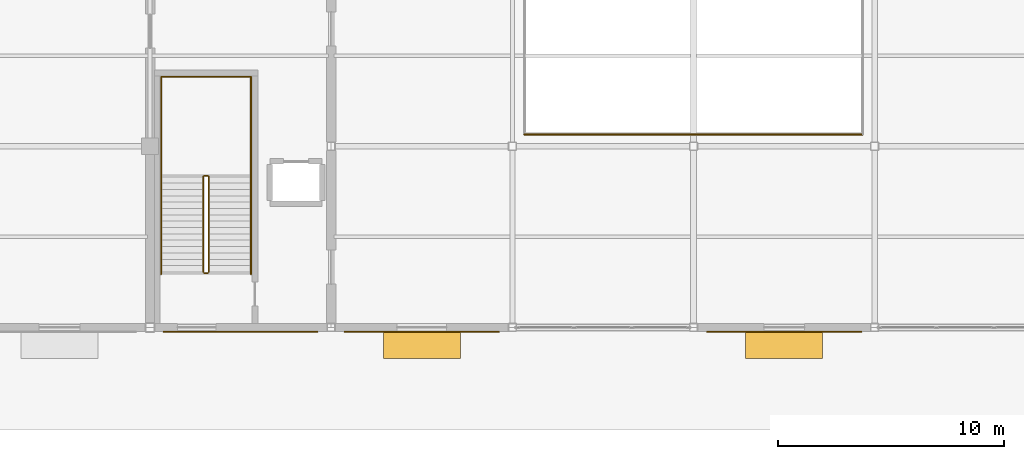
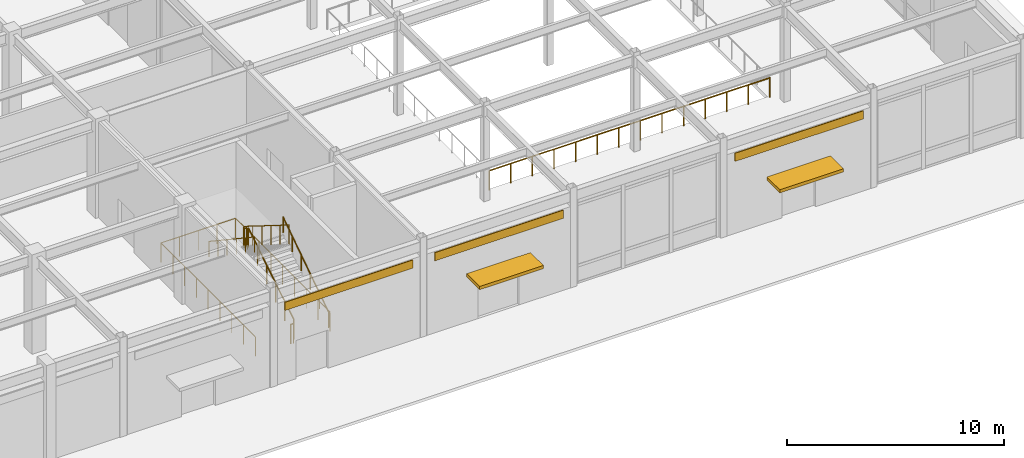
# One storey, part 124 of 128: 10 railings, 3 coverings, 2 shading devices.
"""IFC4 building model written with IfcOpenShell, lengths in metres."""

import ifcopenshell
import ifcopenshell.guid

model = None  # the IFC model being written
_history = None  # IfcOwnerHistory: only IFC2X3 demands one
_inside = {}  # id of a spatial element -> (the spatial element, [elements in it])
_under = {}  # id of a project, library or spatial element -> (it, [spatial elements below it])
_declared = {}  # id of a project -> (the project, [libraries it declares])
_typed = {}  # id of a type object -> (the type object, [elements of that type])
_made_of = {}  # id of a material, layer set ... -> (it, [elements and type objects made of it])


def new_model(schema):
    """Start an empty IFC model of exactly this schema.

    Asked for "IFC4X3", IfcOpenShell would pick the latest addendum, in which some entities
    have other attributes; the version numbers below select the first issue.
    IFC2X3 requires an IfcOwnerHistory on every rooted entity: one is made here for all.
    """
    global model, _history
    if schema == "IFC4X3":
        model = ifcopenshell.file(schema_version=(4, 3, 0, 0))
    else:
        model = ifcopenshell.file(schema=schema)
    _inside.clear()
    _under.clear()
    _declared.clear()
    _typed.clear()
    _made_of.clear()
    _history = None
    if model.schema == "IFC2X3":
        org = make("IfcOrganization", Name="unknown")
        user = make(
            "IfcPersonAndOrganization",
            ThePerson=make("IfcPerson", FamilyName="unknown"),
            TheOrganization=org,
        )
        app = make(
            "IfcApplication",
            ApplicationDeveloper=org,
            Version="unknown",
            ApplicationFullName="unknown",
            ApplicationIdentifier="unknown",
        )
        _history = make(
            "IfcOwnerHistory",
            OwningUser=user,
            OwningApplication=app,
            ChangeAction="ADDED",
            CreationDate=0,
        )
    return model


def make(cls, **values):
    """One entity of the class cls with the attributes given. An attribute that is None is left unset."""
    return model.create_entity(
        cls, **{name: value for name, value in values.items() if value is not None}
    )


def rooted(cls, **values):
    """An entity with a GlobalId (a new one), such as an element, a storey or a relation."""
    return make(cls, GlobalId=ifcopenshell.guid.new(), OwnerHistory=_history, **values)


def si_unit(unit_type, name, prefix=None):
    """IfcSIUnit, for example si_unit("LENGTHUNIT", "METRE", prefix="MILLI")."""
    return make("IfcSIUnit", UnitType=unit_type, Prefix=prefix, Name=name)


def assignment(units):
    """IfcUnitAssignment: the units of a project."""
    return None if units is None else make("IfcUnitAssignment", Units=units)


def point(xyz):
    """IfcCartesianPoint."""
    return None if xyz is None else make("IfcCartesianPoint", Coordinates=xyz)


def direction(xyz):
    """IfcDirection."""
    return None if xyz is None else make("IfcDirection", DirectionRatios=xyz)


def frame(location, z_axis=None, x_axis=None):
    """IfcAxis2Placement3D, a coordinate frame: its origin and axes. An axis left out is left unset."""
    return make(
        "IfcAxis2Placement3D",
        Location=point(location),
        Axis=direction(z_axis),
        RefDirection=direction(x_axis),
    )


def frame_2d(location, x_axis=None):
    """IfcAxis2Placement2D, a coordinate frame in the plane: its origin and x axis."""
    return make(
        "IfcAxis2Placement2D", Location=point(location), RefDirection=direction(x_axis)
    )


def origin():
    """The frame at (0, 0, 0) with its axes left unset."""
    return frame((0.0, 0.0, 0.0))


def origin_2d():
    """The frame at (0, 0) in the plane with its x axis left unset."""
    return frame_2d((0.0, 0.0))


def place(relative_to, where):
    """IfcLocalPlacement: puts the frame where relative to a parent placement (None: the world)."""
    return make(
        "IfcLocalPlacement", PlacementRelTo=relative_to, RelativePlacement=where
    )


def context(
    kind, dimensions, precision=None, world=None, true_north=None, identifier=None
):
    """IfcGeometricRepresentationContext, for example the 3D "Model" context."""
    return make(
        "IfcGeometricRepresentationContext",
        ContextIdentifier=identifier,
        ContextType=kind,
        CoordinateSpaceDimension=dimensions,
        Precision=precision,
        WorldCoordinateSystem=world,
        TrueNorth=true_north,
    )


def subcontext(parent, identifier, kind, view, scale=None):
    """IfcGeometricRepresentationSubContext, for example "Body" below "Model"."""
    return make(
        "IfcGeometricRepresentationSubContext",
        ContextIdentifier=identifier,
        ContextType=kind,
        ParentContext=parent,
        TargetScale=scale,
        TargetView=view,
    )


def project(units=None, contexts=None):
    """IfcProject with its units and contexts."""
    return rooted(
        "IfcProject",
        Name="project",
        RepresentationContexts=contexts,
        UnitsInContext=assignment(units),
    )


def spatial(cls, under=None, at=None, **own):
    """A site, building, storey or space (cls), placed at a placement, below another one or the project."""
    s = rooted(cls, ObjectPlacement=at, **own)
    if under is not None:
        _under.setdefault(under.id(), (under, []))[1].append(s)
    return s


def profile(cls, at=None, kind="AREA", **sizes):
    """A parametric profile (cls). Its sizes go by their IFC names, for example OverallWidth=200.0."""
    return make(cls, ProfileType=kind, Position=at, **sizes)


def rectangle(**sizes):
    """IfcRectangleProfileDef."""
    return profile("IfcRectangleProfileDef", **sizes)


def circle(**sizes):
    """IfcCircleProfileDef."""
    return profile("IfcCircleProfileDef", **sizes)


def extrude(swept, where, along, depth):
    """IfcExtrudedAreaSolid: the profile swept, set in the frame where, extruded along a direction by depth."""
    return make(
        "IfcExtrudedAreaSolid",
        SweptArea=swept,
        Position=where,
        ExtrudedDirection=direction(along),
        Depth=depth,
    )


def shape(context_of_items, identifier, shape_type, items):
    """IfcShapeRepresentation: the items that make up one representation, for example the "Body"."""
    return make(
        "IfcShapeRepresentation",
        ContextOfItems=context_of_items,
        RepresentationIdentifier=identifier,
        RepresentationType=shape_type,
        Items=items,
    )


def material(Name=None, Category=None):
    """IfcMaterial."""
    return make("IfcMaterial", Name=Name, Category=Category)


def layer(
    of_material, thickness, ventilated=None, Name=None, Category=None, Priority=None
):
    """IfcMaterialLayer: one layer of a wall or slab, of a material (None: an air gap)."""
    return make(
        "IfcMaterialLayer",
        Material=of_material,
        LayerThickness=thickness,
        IsVentilated=ventilated,
        Name=Name,
        Category=Category,
        Priority=Priority,
    )


def layer_set(layers, Name=None):
    """IfcMaterialLayerSet."""
    return make("IfcMaterialLayerSet", MaterialLayers=layers, LayerSetName=Name)


def made_of(thing, what):
    """Note that an element or type object is made of a material, layer set ...; save() writes the relation."""
    if what is not None:
        _made_of.setdefault(what.id(), (what, []))[1].append(thing)
    return thing


def type_object(cls, material=None, **own):
    """A type object (cls), such as IfcWallType, which elements share."""
    return made_of(rooted(cls, **own), material)


def element(
    cls,
    number,
    at=None,
    inside=None,
    cuts=None,
    type_object=None,
    material=None,
    context=None,
    identifier="Body",
    shape_type=None,
    held_by="IfcProductDefinitionShape",
    body=None,
    shapes=None,
    **own,
):
    """One element of the class cls, such as IfcWall. Its Tag is "e" and its number.

    at: its placement. inside: the storey or other place that contains it. cuts: it is an
    opening in that element (IfcRelVoidsElement). A single representation is given by context,
    identifier, shape_type and body (its items); several are given by shapes. held_by: the class
    of the entity that holds the representations. save() writes the other relations.
    """
    e = rooted(cls, Tag="e%d" % number, ObjectPlacement=at, **own)
    if body is not None:
        shapes = [shape(context, identifier, shape_type, body)]
    if shapes is not None:
        e.Representation = make(held_by, Representations=shapes)
    if inside is not None:
        _inside.setdefault(inside.id(), (inside, []))[1].append(e)
    if cuts is not None:
        rooted(
            "IfcRelVoidsElement", RelatingBuildingElement=cuts, RelatedOpeningElement=e
        )
    if type_object is not None:
        _typed.setdefault(type_object.id(), (type_object, []))[1].append(e)
    return made_of(e, material)


def aggregate(whole, parts):
    """IfcRelAggregates: a whole, such as a stair, and the parts it consists of."""
    return rooted("IfcRelAggregates", RelatingObject=whole, RelatedObjects=parts)


def save(model, path):
    """Write the relations noted so far, then the file.

    IfcRelAggregates (storeys below a building ...), IfcRelContainedInSpatialStructure (elements
    in a storey), IfcRelDefinesByType, IfcRelAssociatesMaterial and IfcRelDeclares: one each for
    every whole, place, type object, material and project.
    """
    for whole, parts in _under.values():
        aggregate(whole, parts)
    for where, things in _inside.values():
        rooted(
            "IfcRelContainedInSpatialStructure",
            RelatedElements=things,
            RelatingStructure=where,
        )
    for kind, things in _typed.values():
        rooted("IfcRelDefinesByType", RelatedObjects=things, RelatingType=kind)
    for what, things in _made_of.values():
        rooted("IfcRelAssociatesMaterial", RelatedObjects=things, RelatingMaterial=what)
    for by, libraries in _declared.values():
        rooted("IfcRelDeclares", RelatingContext=by, RelatedDefinitions=libraries)
    model.write(path)


model = new_model("IFC4")

# Units and contexts
model_context = context("Model", 3, precision=1e-05, world=origin(), true_north=direction((0.0, 1.0)))
body_context = subcontext(model_context, "Body", "Model", "MODEL_VIEW")
ifc_project = project(units=[si_unit("LENGTHUNIT", "METRE"), si_unit("AREAUNIT", "SQUARE_METRE"), si_unit("VOLUMEUNIT", "CUBIC_METRE"), si_unit("PLANEANGLEUNIT", "RADIAN"), si_unit("MASSUNIT", "GRAM", prefix="KILO")], contexts=[model_context])

# Site, building, storey
site_placement = place(None, origin())
site = spatial("IfcSite", under=ifc_project, at=site_placement, CompositionType="ELEMENT")
building_placement = place(site_placement, origin())
building = spatial("IfcBuilding", under=site, at=building_placement, Name="Solmirada Galleria", CompositionType="ELEMENT")
storey_placement = place(building_placement, origin())
storey = spatial("IfcBuildingStorey", under=building, at=storey_placement, Name="L00", CompositionType="ELEMENT", Elevation=0.0)

# Coverings
ifc_material_1 = material(Name="Limestone cladding panels", Category="masonry")
ifc_layer = layer(ifc_material_1, 0.044921875)
ifc_layer_set = layer_set([ifc_layer], Name="Limestone cladding panels")
covering_type = type_object("IfcCoveringType", Name="COV-CLAD-LIME", PredefinedType="CLADDING", material=ifc_layer_set)
for number, where, z_axis, x_axis, name in (
    (1, (164.0, -0.1923828125, 4.090087890625), (0.0, 0.0, 1.0), (-1.0, 0.0, 0.0), "Postmodern facade cladding L00-034"),
    (2, (148.0, -0.1923828125, 4.090087890625), (0.0, 0.0, 1.0), (-1.0, 0.0, 0.0), "Postmodern facade cladding L00-035"),
):
    element("IfcCovering", number, at=place(storey_placement, frame(where, z_axis=z_axis, x_axis=x_axis)), inside=storey, type_object=covering_type, Name=name, PredefinedType="CLADDING", context=body_context, shape_type="SweptSolid", body=[
        extrude(rectangle(XDim=6.843994140625, YDim=0.044921875, at=origin_2d()), origin(), (0.0, 0.0, 1.0), 0.4599609375),
    ])
covering_placement = place(storey_placement, frame((140.0, -0.1923828125, 4.090087890625), z_axis=(0.0, 0.0, 1.0), x_axis=(-1.0, 0.0, 0.0)))
element("IfcCovering", 3, at=covering_placement, inside=storey, type_object=covering_type, Name="Postmodern facade cladding L00-036", PredefinedType="CLADDING", context=body_context, shape_type="SweptSolid", body=[
    extrude(rectangle(XDim=6.819091796875, YDim=0.044921875, at=origin_2d()), origin(), (0.0, 0.0, 1.0), 0.4599609375),
])

# Railings
ifc_material_2 = material(Name="Painted steel tubular railing", Category="steel")
railing_type_1 = type_object("IfcRailingType", Name="RAIL-STAIR-GUARD", PredefinedType="GUARDRAIL", material=ifc_material_2)
railing_1_placement = place(storey_placement, frame((138.60009765625, 2.449951171875, 0.175048828125)))
element("IfcRailing", 4, at=railing_1_placement, inside=storey, type_object=railing_type_1, Name="L00 ST6 stair guard 1", PredefinedType="GUARDRAIL", context=body_context, shape_type="SweptSolid", body=[
    extrude(circle(Radius=0.02392578125, at=origin_2d()), frame((0.0, 0.0, 1.076171875), z_axis=(0.0, 0.847995534698, 0.530003370869), x_axis=(-1.0, 0.0, 0.0)), (0.0, 0.0, 1.0), 4.952880859375),
    extrude(circle(Radius=0.02099609375, at=origin_2d()), origin(), (0.0, 0.0, 1.0), 1.048095703125),
    extrude(circle(Radius=0.02099609375, at=origin_2d()), frame((0.0, 0.840087890625, 0.52490234375)), (0.0, 0.0, 1.0), 1.048095703125),
    extrude(circle(Radius=0.02099609375, at=origin_2d()), frame((0.0, 1.679931640625, 1.050048828125)), (0.0, 0.0, 1.0), 1.048095703125),
    extrude(circle(Radius=0.02099609375, at=origin_2d()), frame((0.0, 2.52001953125, 1.574951171875)), (0.0, 0.0, 1.0), 1.048095703125),
    extrude(circle(Radius=0.02099609375, at=origin_2d()), frame((0.0, 3.35986328125, 2.10009765625)), (0.0, 0.0, 1.0), 1.048095703125),
    extrude(circle(Radius=0.02099609375, at=origin_2d()), frame((0.0, 4.199951171875, 2.625)), (0.0, 0.0, 1.0), 1.048095703125),
])
railing_2_placement = place(storey_placement, frame((138.550048828125, 6.699951171875, 2.800048828125)))
element("IfcRailing", 5, at=railing_2_placement, inside=storey, type_object=railing_type_1, Name="L00 ST6 stair guard 2", PredefinedType="GUARDRAIL", context=body_context, shape_type="SweptSolid", body=[
    extrude(circle(Radius=0.02392578125, at=origin_2d()), frame((0.0, 0.0, 1.076171875), z_axis=(-1.0, 0.0, 0.0), x_axis=(0.0, -1.0, 0.0)), (0.0, 0.0, 1.0), 0.150146484375),
    extrude(circle(Radius=0.02099609375, at=origin_2d()), origin(), (0.0, 0.0, 1.0), 1.048095703125),
    extrude(circle(Radius=0.02099609375, at=origin_2d()), frame((-0.150146484375, 0.0, 0.0)), (0.0, 0.0, 1.0), 1.048095703125),
])
railing_3_placement = place(storey_placement, frame((138.35009765625, 6.64990234375, 2.97509765625)))
element("IfcRailing", 6, at=railing_3_placement, inside=storey, type_object=railing_type_1, Name="L00 ST6 stair guard 3", PredefinedType="GUARDRAIL", context=body_context, shape_type="SweptSolid", body=[
    extrude(circle(Radius=0.02392578125, at=origin_2d()), frame((0.0, 0.0, 1.076171875), z_axis=(0.0, -0.847995534698, 0.530003370869), x_axis=(1.0, 0.0, 0.0)), (0.0, 0.0, 1.0), 4.952880859375),
    extrude(circle(Radius=0.02099609375, at=origin_2d()), origin(), (0.0, 0.0, 1.0), 1.048095703125),
    extrude(circle(Radius=0.02099609375, at=origin_2d()), frame((0.0, -0.840087890625, 0.52490234375)), (0.0, 0.0, 1.0), 1.048095703125),
    extrude(circle(Radius=0.02099609375, at=origin_2d()), frame((0.0, -1.679931640625, 1.050048828125)), (0.0, 0.0, 1.0), 1.048095703125),
    extrude(circle(Radius=0.02099609375, at=origin_2d()), frame((0.0, -2.52001953125, 1.574951171875)), (0.0, 0.0, 1.0), 1.048095703125),
    extrude(circle(Radius=0.02099609375, at=origin_2d()), frame((0.0, -3.35986328125, 2.10009765625)), (0.0, 0.0, 1.0), 1.048095703125),
    extrude(circle(Radius=0.02099609375, at=origin_2d()), frame((0.0, -4.199951171875, 2.625)), (0.0, 0.0, 1.0), 1.048095703125),
])
railing_4_placement = place(storey_placement, frame((138.550048828125, 2.39990234375, 0.0)))
element("IfcRailing", 7, at=railing_4_placement, inside=storey, type_object=railing_type_1, Name="L00 ST6 stair guard 4", PredefinedType="GUARDRAIL", context=body_context, shape_type="SweptSolid", body=[
    extrude(circle(Radius=0.02392578125, at=origin_2d()), frame((0.0, 0.0, 1.076171875), z_axis=(-1.0, 0.0, 0.0), x_axis=(0.0, -1.0, 0.0)), (0.0, 0.0, 1.0), 0.150146484375),
    extrude(circle(Radius=0.02099609375, at=origin_2d()), origin(), (0.0, 0.0, 1.0), 1.048095703125),
    extrude(circle(Radius=0.02099609375, at=origin_2d()), frame((-0.150146484375, 0.0, 0.0)), (0.0, 0.0, 1.0), 1.048095703125),
])
railing_5_placement = place(storey_placement, frame((136.489990234375, 2.35009765625, 0.0)))
element("IfcRailing", 8, at=railing_5_placement, inside=storey, type_object=railing_type_1, Name="Stair ST6 well edge guard L00-1", PredefinedType="GUARDRAIL", context=body_context, shape_type="SweptSolid", body=[
    extrude(circle(Radius=0.02392578125, at=origin_2d()), frame((0.0, 0.0, 1.09619140625), z_axis=(0.0, 1.0, 0.0), x_axis=(-1.0, 0.0, 0.0)), (0.0, 0.0, 1.0), 8.7099609375),
    extrude(circle(Radius=0.02099609375, at=origin_2d()), origin(), (0.0, 0.0, 1.0), 1.068115234375),
    extrude(circle(Radius=0.02099609375, at=origin_2d()), frame((0.0, 1.0888671875, 0.0)), (0.0, 0.0, 1.0), 1.068115234375),
    extrude(circle(Radius=0.02099609375, at=origin_2d()), frame((0.0, 2.177490234375, 0.0)), (0.0, 0.0, 1.0), 1.068115234375),
    extrude(circle(Radius=0.02099609375, at=origin_2d()), frame((0.0, 3.26611328125, 0.0)), (0.0, 0.0, 1.0), 1.068115234375),
    extrude(circle(Radius=0.02099609375, at=origin_2d()), frame((0.0, 4.35498046875, 0.0)), (0.0, 0.0, 1.0), 1.068115234375),
    extrude(circle(Radius=0.02099609375, at=origin_2d()), frame((0.0, 5.44384765625, 0.0)), (0.0, 0.0, 1.0), 1.068115234375),
    extrude(circle(Radius=0.02099609375, at=origin_2d()), frame((0.0, 6.532470703125, 0.0)), (0.0, 0.0, 1.0), 1.068115234375),
    extrude(circle(Radius=0.02099609375, at=origin_2d()), frame((0.0, 7.62109375, 0.0)), (0.0, 0.0, 1.0), 1.068115234375),
    extrude(circle(Radius=0.02099609375, at=origin_2d()), frame((0.0, 8.7099609375, 0.0)), (0.0, 0.0, 1.0), 1.068115234375),
])
railing_6_placement = place(storey_placement, frame((136.489990234375, 11.06005859375, 0.0)))
element("IfcRailing", 9, at=railing_6_placement, inside=storey, type_object=railing_type_1, Name="Stair ST6 well edge guard L00-2", PredefinedType="GUARDRAIL", context=body_context, shape_type="SweptSolid", body=[
    extrude(circle(Radius=0.02392578125, at=origin_2d()), frame((0.0, 0.0, 1.09619140625), z_axis=(1.0, 0.0, 0.0), x_axis=(0.0, 1.0, 0.0)), (0.0, 0.0, 1.0), 3.969970703125),
    extrude(circle(Radius=0.02099609375, at=origin_2d()), origin(), (0.0, 0.0, 1.0), 1.068115234375),
    extrude(circle(Radius=0.02099609375, at=origin_2d()), frame((0.992431640625, 0.0, 0.0)), (0.0, 0.0, 1.0), 1.068115234375),
    extrude(circle(Radius=0.02099609375, at=origin_2d()), frame((1.98486328125, 0.0, 0.0)), (0.0, 0.0, 1.0), 1.068115234375),
    extrude(circle(Radius=0.02099609375, at=origin_2d()), frame((2.9775390625, 0.0, 0.0)), (0.0, 0.0, 1.0), 1.068115234375),
    extrude(circle(Radius=0.02099609375, at=origin_2d()), frame((3.969970703125, 0.0, 0.0)), (0.0, 0.0, 1.0), 1.068115234375),
])
railing_7_placement = place(storey_placement, frame((140.4599609375, 11.06005859375, 0.0)))
element("IfcRailing", 10, at=railing_7_placement, inside=storey, type_object=railing_type_1, Name="Stair ST6 well edge guard L00-3", PredefinedType="GUARDRAIL", context=body_context, shape_type="SweptSolid", body=[
    extrude(circle(Radius=0.02392578125, at=origin_2d()), frame((0.0, 0.0, 1.09619140625), z_axis=(0.0, -1.0, 0.0), x_axis=(1.0, 0.0, 0.0)), (0.0, 0.0, 1.0), 8.7099609375),
    extrude(circle(Radius=0.02099609375, at=origin_2d()), origin(), (0.0, 0.0, 1.0), 1.068115234375),
    extrude(circle(Radius=0.02099609375, at=origin_2d()), frame((0.0, -1.0888671875, 0.0)), (0.0, 0.0, 1.0), 1.068115234375),
    extrude(circle(Radius=0.02099609375, at=origin_2d()), frame((0.0, -2.177490234375, 0.0)), (0.0, 0.0, 1.0), 1.068115234375),
    extrude(circle(Radius=0.02099609375, at=origin_2d()), frame((0.0, -3.26611328125, 0.0)), (0.0, 0.0, 1.0), 1.068115234375),
    extrude(circle(Radius=0.02099609375, at=origin_2d()), frame((0.0, -4.35498046875, 0.0)), (0.0, 0.0, 1.0), 1.068115234375),
    extrude(circle(Radius=0.02099609375, at=origin_2d()), frame((0.0, -5.44384765625, 0.0)), (0.0, 0.0, 1.0), 1.068115234375),
    extrude(circle(Radius=0.02099609375, at=origin_2d()), frame((0.0, -6.532470703125, 0.0)), (0.0, 0.0, 1.0), 1.068115234375),
    extrude(circle(Radius=0.02099609375, at=origin_2d()), frame((0.0, -7.62109375, 0.0)), (0.0, 0.0, 1.0), 1.068115234375),
    extrude(circle(Radius=0.02099609375, at=origin_2d()), frame((0.0, -8.7099609375, 0.0)), (0.0, 0.0, 1.0), 1.068115234375),
])
railing_8_placement = place(storey_placement, frame((167.47998046875, 8.52001953125, 0.0)))
element("IfcRailing", 11, at=railing_8_placement, inside=storey, type_object=railing_type_1, Name="Vehicle ramp opening guardrail L00-1", PredefinedType="GUARDRAIL", context=body_context, shape_type="SweptSolid", body=[
    extrude(circle(Radius=0.02392578125, at=origin_2d()), frame((0.0, 0.0, 1.09619140625), z_axis=(-1.0, 0.0, 0.0), x_axis=(0.0, -1.0, 0.0)), (0.0, 0.0, 1.0), 14.9599609375),
    extrude(circle(Radius=0.02099609375, at=origin_2d()), origin(), (0.0, 0.0, 1.0), 1.068115234375),
    extrude(circle(Radius=0.02099609375, at=origin_2d()), frame((-1.15087890625, 0.0, 0.0)), (0.0, 0.0, 1.0), 1.068115234375),
    extrude(circle(Radius=0.02099609375, at=origin_2d()), frame((-2.301513671875, 0.0, 0.0)), (0.0, 0.0, 1.0), 1.068115234375),
    extrude(circle(Radius=0.02099609375, at=origin_2d()), frame((-3.452392578125, 0.0, 0.0)), (0.0, 0.0, 1.0), 1.068115234375),
    extrude(circle(Radius=0.02099609375, at=origin_2d()), frame((-4.60302734375, 0.0, 0.0)), (0.0, 0.0, 1.0), 1.068115234375),
    extrude(circle(Radius=0.02099609375, at=origin_2d()), frame((-5.75390625, 0.0, 0.0)), (0.0, 0.0, 1.0), 1.068115234375),
    extrude(circle(Radius=0.02099609375, at=origin_2d()), frame((-6.904541015625, 0.0, 0.0)), (0.0, 0.0, 1.0), 1.068115234375),
    extrude(circle(Radius=0.02099609375, at=origin_2d()), frame((-8.055419921875, 0.0, 0.0)), (0.0, 0.0, 1.0), 1.068115234375),
    extrude(circle(Radius=0.02099609375, at=origin_2d()), frame((-9.2060546875, 0.0, 0.0)), (0.0, 0.0, 1.0), 1.068115234375),
    extrude(circle(Radius=0.02099609375, at=origin_2d()), frame((-10.35693359375, 0.0, 0.0)), (0.0, 0.0, 1.0), 1.068115234375),
    extrude(circle(Radius=0.02099609375, at=origin_2d()), frame((-11.507568359375, 0.0, 0.0)), (0.0, 0.0, 1.0), 1.068115234375),
    extrude(circle(Radius=0.02099609375, at=origin_2d()), frame((-12.658447265625, 0.0, 0.0)), (0.0, 0.0, 1.0), 1.068115234375),
    extrude(circle(Radius=0.02099609375, at=origin_2d()), frame((-13.80908203125, 0.0, 0.0)), (0.0, 0.0, 1.0), 1.068115234375),
    extrude(circle(Radius=0.02099609375, at=origin_2d()), frame((-14.9599609375, 0.0, 0.0)), (0.0, 0.0, 1.0), 1.068115234375),
])
railing_type_2 = type_object("IfcRailingType", Name="RAIL-STAIR-HAND", PredefinedType="HANDRAIL", material=ifc_material_2)
railing_9_placement = place(storey_placement, frame((140.449951171875, 2.449951171875, 0.175048828125)))
element("IfcRailing", 12, at=railing_9_placement, inside=storey, type_object=railing_type_2, Name="L00 ST6 stair handrail 1", PredefinedType="HANDRAIL", context=body_context, shape_type="SweptSolid", body=[
    extrude(circle(Radius=0.02392578125, at=origin_2d()), frame((0.0, 0.0, 0.8759765625), z_axis=(0.0, 0.832042853317, 0.554711357594), x_axis=(-1.0, 0.0, 0.0)), (0.0, 0.0, 1.0), 5.0478515625),
    extrude(circle(Radius=0.02099609375, at=origin_2d()), origin(), (0.0, 0.0, 1.0), 0.847900390625),
    extrude(circle(Radius=0.02099609375, at=origin_2d()), frame((0.0, 0.840087890625, 0.56005859375)), (0.0, 0.0, 1.0), 0.847900390625),
    extrude(circle(Radius=0.02099609375, at=origin_2d()), frame((0.0, 1.679931640625, 1.1201171875)), (0.0, 0.0, 1.0), 0.847900390625),
    extrude(circle(Radius=0.02099609375, at=origin_2d()), frame((0.0, 2.52001953125, 1.679931640625)), (0.0, 0.0, 1.0), 0.847900390625),
    extrude(circle(Radius=0.02099609375, at=origin_2d()), frame((0.0, 3.35986328125, 2.239990234375)), (0.0, 0.0, 1.0), 0.847900390625),
    extrude(circle(Radius=0.02099609375, at=origin_2d()), frame((0.0, 4.199951171875, 2.800048828125)), (0.0, 0.0, 1.0), 0.847900390625),
])
railing_10_placement = place(storey_placement, frame((136.5, 6.64990234375, 2.97509765625)))
element("IfcRailing", 13, at=railing_10_placement, inside=storey, type_object=railing_type_2, Name="L00 ST6 stair handrail 2", PredefinedType="HANDRAIL", context=body_context, shape_type="SweptSolid", body=[
    extrude(circle(Radius=0.02392578125, at=origin_2d()), frame((0.0, 0.0, 0.8759765625), z_axis=(0.0, -0.83206517633, 0.554677872589), x_axis=(1.0, 0.0, 0.0)), (0.0, 0.0, 1.0), 5.047607421875),
    extrude(circle(Radius=0.02099609375, at=origin_2d()), origin(), (0.0, 0.0, 1.0), 0.847900390625),
    extrude(circle(Radius=0.02099609375, at=origin_2d()), frame((0.0, -0.840087890625, 0.56005859375)), (0.0, 0.0, 1.0), 0.847900390625),
    extrude(circle(Radius=0.02099609375, at=origin_2d()), frame((0.0, -1.679931640625, 1.119873046875)), (0.0, 0.0, 1.0), 0.847900390625),
    extrude(circle(Radius=0.02099609375, at=origin_2d()), frame((0.0, -2.52001953125, 1.679931640625)), (0.0, 0.0, 1.0), 0.847900390625),
    extrude(circle(Radius=0.02099609375, at=origin_2d()), frame((0.0, -3.35986328125, 2.23974609375)), (0.0, 0.0, 1.0), 0.847900390625),
    extrude(circle(Radius=0.02099609375, at=origin_2d()), frame((0.0, -4.199951171875, 2.7998046875)), (0.0, 0.0, 1.0), 0.847900390625),
])

# Shading devices
ifc_material_3 = material(Name="Extruded aluminium storm louvres", Category="aluminium")
shading_device_type = type_object("IfcShadingDeviceType", Name="SHD-AWNING", PredefinedType="AWNING", material=ifc_material_3)
for number, where, z_axis, x_axis, name in (
    (14, (164.0, -0.77001953125, 2.41015625), (0.0, 0.0, 1.0), (-1.0, 0.0, 0.0), "Storm entrance awning canopy 022"),
    (15, (148.0, -0.77001953125, 2.56005859375), (0.0, 0.0, 1.0), (-1.0, 0.0, 0.0), "Storm entrance awning canopy 023"),
):
    element("IfcShadingDevice", number, at=place(storey_placement, frame(where, z_axis=z_axis, x_axis=x_axis)), inside=storey, type_object=shading_device_type, Name=name, PredefinedType="AWNING", context=body_context, shape_type="SweptSolid", body=[
        extrude(rectangle(XDim=3.39990234375, YDim=1.199951171875, at=origin_2d()), origin(), (0.0, 0.0, 1.0), 0.179931640625),
    ])

save(model, "model.ifc")
